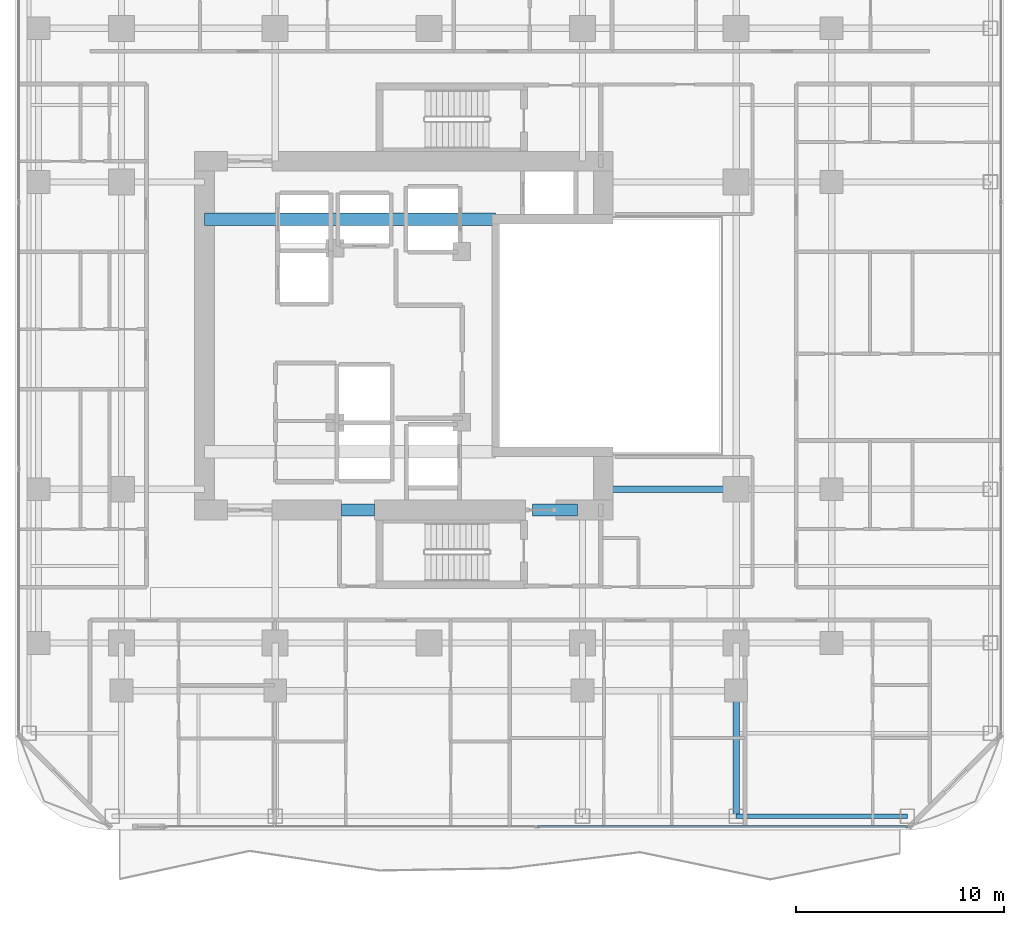
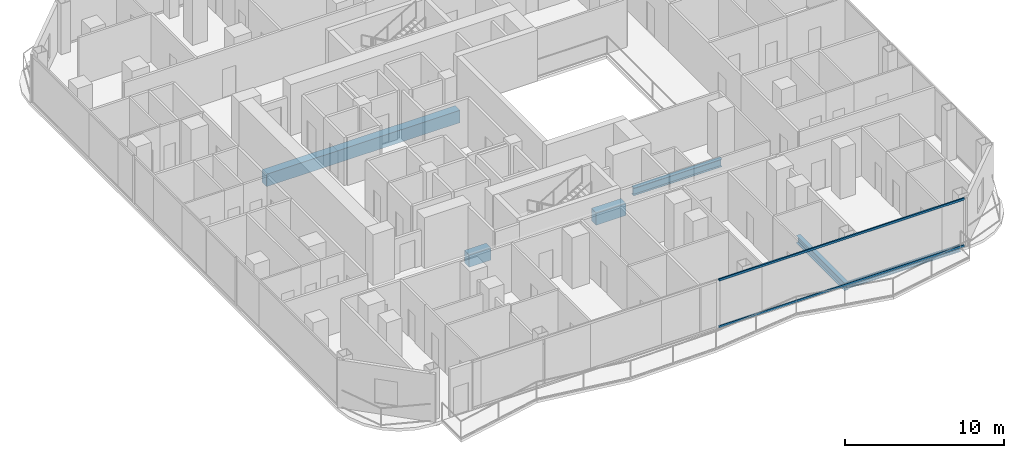
# One storey, part 9 of 29: 6 beams, 2 members, 1 element without a shape of its own.
"""IFC4 building model written with IfcOpenShell, lengths in metres."""

from ifc_helpers import new_model, si_unit, direction, frame, origin, origin_2d, place, context, subcontext, project, spatial, rectangle, hollow_rectangle, i_section, extrude, material, layer, layer_set, material_profile, profile_set, type_object, element, aggregate, save


model = new_model("IFC4")

# Units and contexts
model_context = context("Model", 3, precision=1e-05, world=origin(), true_north=direction((0.0, 1.0)))
body_context = subcontext(model_context, "Body", "Model", "MODEL_VIEW")
ifc_project = project(units=[si_unit("LENGTHUNIT", "METRE"), si_unit("AREAUNIT", "SQUARE_METRE"), si_unit("VOLUMEUNIT", "CUBIC_METRE"), si_unit("PLANEANGLEUNIT", "RADIAN"), si_unit("MASSUNIT", "GRAM", prefix="KILO")], contexts=[model_context])

# Site, building, storey
site_placement = place(None, origin())
site = spatial("IfcSite", under=ifc_project, at=site_placement, CompositionType="ELEMENT")
building_placement = place(site_placement, origin())
building = spatial("IfcBuilding", under=site, at=building_placement, Name="Khorvyn Point Tower", CompositionType="ELEMENT")
storey_placement = place(building_placement, frame((0.0, 0.0, 140.699951171875)))
storey = spatial("IfcBuildingStorey", under=building, at=storey_placement, Name="L35", CompositionType="ELEMENT", Elevation=140.699951171875)

# Curtain wall, members
ifc_material_1 = material(Name="Anodised aluminium 6063-T6 and laminated Low-E glass", Category="aluminium")
ifc_layer = layer(ifc_material_1, 0.18994140625)
ifc_layer_set = layer_set([ifc_layer], Name="Stick-Built Acoustic Curtain Wall CW-SYS-03")
curtain_wall_type = type_object("IfcCurtainWallType", Name="Stick-Built Acoustic Curtain Wall CW-SYS-03", PredefinedType="NOTDEFINED", material=ifc_layer_set)
curtain_wall_placement = place(storey_placement, origin())
curtain_wall = element("IfcCurtainWall", 1, at=curtain_wall_placement, inside=storey, type_object=curtain_wall_type, Name="Curtain Wall", PredefinedType="NOTDEFINED")
ifc_material_2 = material(Name="Anodised aluminium 6063-T6", Category="aluminium")
ifc_material_profile_1 = material_profile(ifc_material_2, hollow_rectangle(XDim=0.10009765625, YDim=0.159912109375, WallThickness=0.00439453125, at=origin_2d()))
ifc_profile_set_1 = profile_set([ifc_material_profile_1], Name="Anodised aluminium 6063-T6 ALU-TRN-100x160")
member_type = type_object("IfcMemberType", Name="Anodised Aluminium 6063-T6 Transom ALU-TRN-100x160", PredefinedType="USERDEFINED", material=ifc_profile_set_1)
member_1_placement = place(storey_placement, frame((23.050048828125, -23.64990234375, 0.050048828125), z_axis=(-1.0, 0.0, 0.0), x_axis=(0.0, -1.0, 0.0)))
member_1 = element("IfcMember", 2, at=member_1_placement, type_object=member_type, Name="Transom", ObjectType="TRANSOM", PredefinedType="USERDEFINED", context=body_context, shape_type="SweptSolid", body=[
    extrude(hollow_rectangle(XDim=0.10009765625, YDim=0.159912109375, WallThickness=0.00439453125, at=origin_2d()), origin(), (0.0, 0.0, 1.0), 17.8095703125),
])
member_2_placement = place(storey_placement, frame((23.050048828125, -23.64990234375, 3.630126953125), z_axis=(-1.0, 0.0, 0.0), x_axis=(0.0, -1.0, 0.0)))
member_2 = element("IfcMember", 3, at=member_2_placement, type_object=member_type, Name="Transom", ObjectType="TRANSOM", PredefinedType="USERDEFINED", context=body_context, shape_type="SweptSolid", body=[
    extrude(hollow_rectangle(XDim=0.10009765625, YDim=0.159912109375, WallThickness=0.00439453125, at=origin_2d()), origin(), (0.0, 0.0, 1.0), 17.8095703125),
])
aggregate(curtain_wall, [member_1, member_2])

# Beams
ifc_material_3 = material(Name="Concrete C50/60", Category="concrete")
ifc_material_profile_2 = material_profile(ifc_material_3, rectangle(XDim=0.60009765625, YDim=0.949951171875, at=origin_2d()))
ifc_profile_set_2 = profile_set([ifc_material_profile_2], Name="Concrete C50/60 RC600x950")
beam_type_1 = type_object("IfcBeamType", Name="Concrete C50/60 Beam RC600x950", PredefinedType="BEAM", material=ifc_profile_set_2)
beam_1_placement = place(storey_placement, frame((-10.800048828125, 5.60009765625, -0.695068359375), z_axis=(1.0, 0.0, 0.0), x_axis=(0.0, 1.0, 0.0)))
element("IfcBeam", 4, at=beam_1_placement, inside=storey, type_object=beam_type_1, Name="L35 Core Internal Tie Girder N", PredefinedType="BEAM", context=body_context, shape_type="SweptSolid", body=[
    extrude(rectangle(XDim=0.60009765625, YDim=0.949951171875, at=origin_2d()), origin(), (0.0, 0.0, 1.0), 14.02001953125),
])
beam_2_placement = place(storey_placement, frame((-4.199951171875, -8.39990234375, -0.695068359375), z_axis=(1.0, 0.0, 0.0), x_axis=(0.0, 1.0, 0.0)))
element("IfcBeam", 5, at=beam_2_placement, inside=storey, type_object=beam_type_1, Name="L35 Core Shuttle Portal Coupling Beam", PredefinedType="BEAM", context=body_context, shape_type="SweptSolid", body=[
    extrude(rectangle(XDim=0.60009765625, YDim=0.949951171875, at=origin_2d()), origin(), (0.0, 0.0, 1.0), 1.579833984375),
])
beam_3_placement = place(storey_placement, frame((5.0, -8.39990234375, -0.695068359375), z_axis=(1.0, 0.0, 0.0), x_axis=(0.0, 1.0, 0.0)))
element("IfcBeam", 6, at=beam_3_placement, inside=storey, type_object=beam_type_1, Name="L35 Core Southeast Portal Coupling Beam", PredefinedType="BEAM", context=body_context, shape_type="SweptSolid", body=[
    extrude(rectangle(XDim=0.60009765625, YDim=0.949951171875, at=origin_2d()), origin(), (0.0, 0.0, 1.0), 2.14990234375),
])
ifc_material_4 = material(Name="Steel S355", Category="steel")
ifc_material_profile_3 = material_profile(ifc_material_4, i_section(OverallWidth=0.300048828125, OverallDepth=0.587890625, WebThickness=0.011962890625, FlangeThickness=0.02001953125, at=origin_2d()))
ifc_profile_set_3 = profile_set([ifc_material_profile_3], Name="Steel S355 H588x300x12x20")
beam_type_2 = type_object("IfcBeamType", Name="Steel S355 Beam H588x300x12x20", PredefinedType="BEAM", material=ifc_profile_set_3)
beam_4_placement = place(storey_placement, frame((8.39990234375, -7.39990234375, -0.513916015625), z_axis=(1.0, 0.0, 0.0), x_axis=(0.0, 1.0, 0.0)))
element("IfcBeam", 7, at=beam_4_placement, inside=storey, type_object=beam_type_2, Name="Beam", PredefinedType="BEAM", context=body_context, shape_type="SweptSolid", body=[
    extrude(i_section(OverallWidth=0.300048828125, OverallDepth=0.587890625, WebThickness=0.011962890625, FlangeThickness=0.02001953125, at=origin_2d()), origin(), (0.0, 0.0, 1.0), 6.400146484375),
])
beam_5_placement = place(storey_placement, frame((14.800048828125, -23.14990234375, -0.513916015625), z_axis=(0.0, 1.0, 0.0), x_axis=(-1.0, 0.0, 0.0)))
element("IfcBeam", 8, at=beam_5_placement, inside=storey, type_object=beam_type_2, Name="Beam", PredefinedType="BEAM", context=body_context, shape_type="SweptSolid", body=[
    extrude(i_section(OverallWidth=0.300048828125, OverallDepth=0.587890625, WebThickness=0.011962890625, FlangeThickness=0.02001953125, at=origin_2d()), origin(), (0.0, 0.0, 1.0), 6.0498046875),
])
ifc_material_profile_4 = material_profile(ifc_material_4, i_section(OverallWidth=0.199951171875, OverallDepth=0.449951171875, WebThickness=0.009033203125, FlangeThickness=0.013916015625, at=origin_2d()))
ifc_profile_set_4 = profile_set([ifc_material_profile_4], Name="Steel S355 H450x200x9x14")
beam_type_3 = type_object("IfcBeamType", Name="Steel S355 Spandrel H450x200x9x14", PredefinedType="SPANDREL", material=ifc_profile_set_4)
beam_6_placement = place(storey_placement, frame((14.800048828125, -23.14990234375, -0.445068359375), z_axis=(1.0, 0.0, 0.0), x_axis=(0.0, 1.0, 0.0)))
element("IfcBeam", 9, at=beam_6_placement, inside=storey, type_object=beam_type_3, Name="Beam", PredefinedType="SPANDREL", context=body_context, shape_type="SweptSolid", body=[
    extrude(i_section(OverallWidth=0.199951171875, OverallDepth=0.449951171875, WebThickness=0.009033203125, FlangeThickness=0.013916015625, at=origin_2d()), origin(), (0.0, 0.0, 1.0), 8.25),
])

save(model, "model.ifc")
